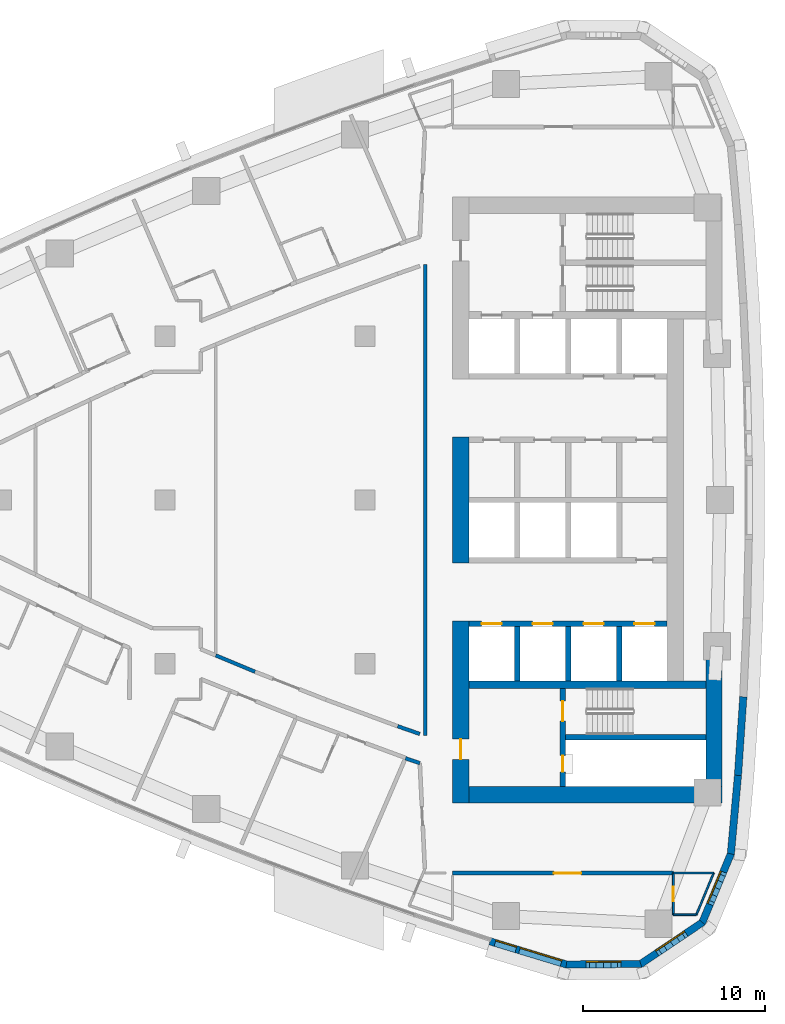
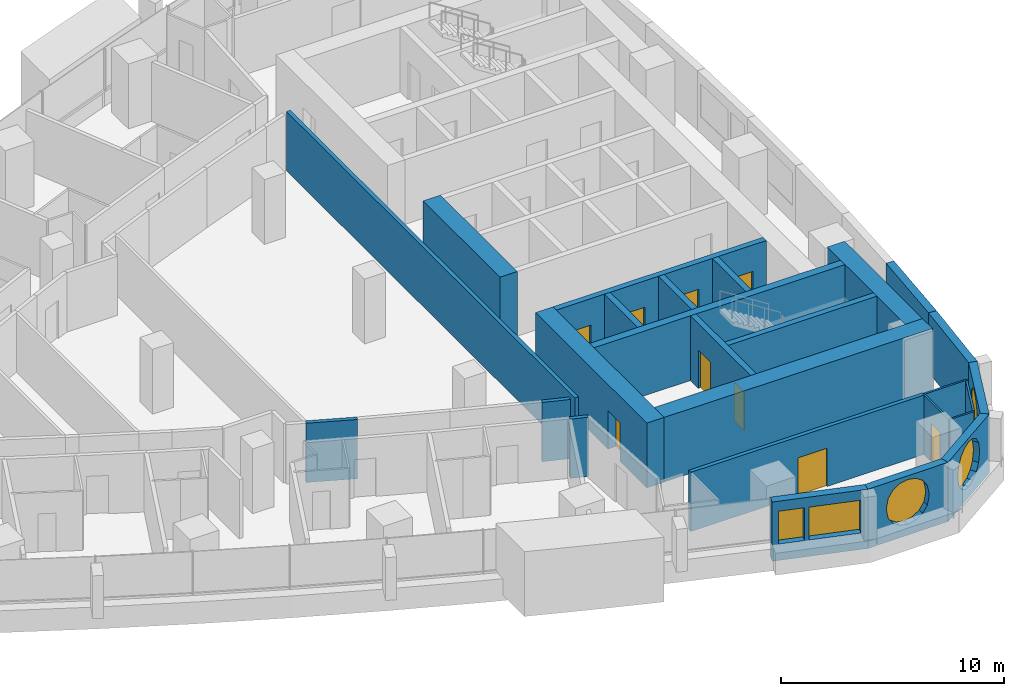
# One storey, part 10 of 17: 26 walls, 9 doors, 5 windows, 14 openings.
"""IFC4 building model written with IfcOpenShell, lengths in metres."""

import ifcopenshell
import ifcopenshell.guid

model = None  # the IFC model being written
_history = None  # IfcOwnerHistory: only IFC2X3 demands one
_inside = {}  # id of a spatial element -> (the spatial element, [elements in it])
_under = {}  # id of a project, library or spatial element -> (it, [spatial elements below it])
_declared = {}  # id of a project -> (the project, [libraries it declares])
_typed = {}  # id of a type object -> (the type object, [elements of that type])
_made_of = {}  # id of a material, layer set ... -> (it, [elements and type objects made of it])


def new_model(schema):
    """Start an empty IFC model of exactly this schema.

    Asked for "IFC4X3", IfcOpenShell would pick the latest addendum, in which some entities
    have other attributes; the version numbers below select the first issue.
    IFC2X3 requires an IfcOwnerHistory on every rooted entity: one is made here for all.
    """
    global model, _history
    if schema == "IFC4X3":
        model = ifcopenshell.file(schema_version=(4, 3, 0, 0))
    else:
        model = ifcopenshell.file(schema=schema)
    _inside.clear()
    _under.clear()
    _declared.clear()
    _typed.clear()
    _made_of.clear()
    _history = None
    if model.schema == "IFC2X3":
        org = make("IfcOrganization", Name="unknown")
        user = make(
            "IfcPersonAndOrganization",
            ThePerson=make("IfcPerson", FamilyName="unknown"),
            TheOrganization=org,
        )
        app = make(
            "IfcApplication",
            ApplicationDeveloper=org,
            Version="unknown",
            ApplicationFullName="unknown",
            ApplicationIdentifier="unknown",
        )
        _history = make(
            "IfcOwnerHistory",
            OwningUser=user,
            OwningApplication=app,
            ChangeAction="ADDED",
            CreationDate=0,
        )
    return model


def make(cls, **values):
    """One entity of the class cls with the attributes given. An attribute that is None is left unset."""
    return model.create_entity(
        cls, **{name: value for name, value in values.items() if value is not None}
    )


def rooted(cls, **values):
    """An entity with a GlobalId (a new one), such as an element, a storey or a relation."""
    return make(cls, GlobalId=ifcopenshell.guid.new(), OwnerHistory=_history, **values)


def si_unit(unit_type, name, prefix=None):
    """IfcSIUnit, for example si_unit("LENGTHUNIT", "METRE", prefix="MILLI")."""
    return make("IfcSIUnit", UnitType=unit_type, Prefix=prefix, Name=name)


def assignment(units):
    """IfcUnitAssignment: the units of a project."""
    return None if units is None else make("IfcUnitAssignment", Units=units)


def point(xyz):
    """IfcCartesianPoint."""
    return None if xyz is None else make("IfcCartesianPoint", Coordinates=xyz)


def direction(xyz):
    """IfcDirection."""
    return None if xyz is None else make("IfcDirection", DirectionRatios=xyz)


def frame(location, z_axis=None, x_axis=None):
    """IfcAxis2Placement3D, a coordinate frame: its origin and axes. An axis left out is left unset."""
    return make(
        "IfcAxis2Placement3D",
        Location=point(location),
        Axis=direction(z_axis),
        RefDirection=direction(x_axis),
    )


def frame_2d(location, x_axis=None):
    """IfcAxis2Placement2D, a coordinate frame in the plane: its origin and x axis."""
    return make(
        "IfcAxis2Placement2D", Location=point(location), RefDirection=direction(x_axis)
    )


def origin():
    """The frame at (0, 0, 0) with its axes left unset."""
    return frame((0.0, 0.0, 0.0))


def place(relative_to, where):
    """IfcLocalPlacement: puts the frame where relative to a parent placement (None: the world)."""
    return make(
        "IfcLocalPlacement", PlacementRelTo=relative_to, RelativePlacement=where
    )


def context(
    kind, dimensions, precision=None, world=None, true_north=None, identifier=None
):
    """IfcGeometricRepresentationContext, for example the 3D "Model" context."""
    return make(
        "IfcGeometricRepresentationContext",
        ContextIdentifier=identifier,
        ContextType=kind,
        CoordinateSpaceDimension=dimensions,
        Precision=precision,
        WorldCoordinateSystem=world,
        TrueNorth=true_north,
    )


def subcontext(parent, identifier, kind, view, scale=None):
    """IfcGeometricRepresentationSubContext, for example "Body" below "Model"."""
    return make(
        "IfcGeometricRepresentationSubContext",
        ContextIdentifier=identifier,
        ContextType=kind,
        ParentContext=parent,
        TargetScale=scale,
        TargetView=view,
    )


def project(units=None, contexts=None):
    """IfcProject with its units and contexts."""
    return rooted(
        "IfcProject",
        Name="project",
        RepresentationContexts=contexts,
        UnitsInContext=assignment(units),
    )


def spatial(cls, under=None, at=None, **own):
    """A site, building, storey or space (cls), placed at a placement, below another one or the project."""
    s = rooted(cls, ObjectPlacement=at, **own)
    if under is not None:
        _under.setdefault(under.id(), (under, []))[1].append(s)
    return s


def polyline(points):
    """IfcPolyline through the points."""
    return make("IfcPolyline", Points=[point(p) for p in points])


def profile(cls, at=None, kind="AREA", **sizes):
    """A parametric profile (cls). Its sizes go by their IFC names, for example OverallWidth=200.0."""
    return make(cls, ProfileType=kind, Position=at, **sizes)


def rectangle(**sizes):
    """IfcRectangleProfileDef."""
    return profile("IfcRectangleProfileDef", **sizes)


def outline(outer, holes=None, kind="AREA"):
    """IfcArbitraryClosedProfileDef: a profile drawn as a closed curve; with holes, ...WithVoids."""
    if holes is None:
        return make("IfcArbitraryClosedProfileDef", ProfileType=kind, OuterCurve=outer)
    return make(
        "IfcArbitraryProfileDefWithVoids",
        ProfileType=kind,
        OuterCurve=outer,
        InnerCurves=holes,
    )


def extrude(swept, where, along, depth):
    """IfcExtrudedAreaSolid: the profile swept, set in the frame where, extruded along a direction by depth."""
    return make(
        "IfcExtrudedAreaSolid",
        SweptArea=swept,
        Position=where,
        ExtrudedDirection=direction(along),
        Depth=depth,
    )


def shape(context_of_items, identifier, shape_type, items):
    """IfcShapeRepresentation: the items that make up one representation, for example the "Body"."""
    return make(
        "IfcShapeRepresentation",
        ContextOfItems=context_of_items,
        RepresentationIdentifier=identifier,
        RepresentationType=shape_type,
        Items=items,
    )


def material(Name=None, Category=None):
    """IfcMaterial."""
    return make("IfcMaterial", Name=Name, Category=Category)


def layer(
    of_material, thickness, ventilated=None, Name=None, Category=None, Priority=None
):
    """IfcMaterialLayer: one layer of a wall or slab, of a material (None: an air gap)."""
    return make(
        "IfcMaterialLayer",
        Material=of_material,
        LayerThickness=thickness,
        IsVentilated=ventilated,
        Name=Name,
        Category=Category,
        Priority=Priority,
    )


def layer_set(layers, Name=None):
    """IfcMaterialLayerSet."""
    return make("IfcMaterialLayerSet", MaterialLayers=layers, LayerSetName=Name)


def made_of(thing, what):
    """Note that an element or type object is made of a material, layer set ...; save() writes the relation."""
    if what is not None:
        _made_of.setdefault(what.id(), (what, []))[1].append(thing)
    return thing


def type_object(cls, material=None, **own):
    """A type object (cls), such as IfcWallType, which elements share."""
    return made_of(rooted(cls, **own), material)


def element(
    cls,
    number,
    at=None,
    inside=None,
    cuts=None,
    type_object=None,
    material=None,
    context=None,
    identifier="Body",
    shape_type=None,
    held_by="IfcProductDefinitionShape",
    body=None,
    shapes=None,
    **own,
):
    """One element of the class cls, such as IfcWall. Its Tag is "e" and its number.

    at: its placement. inside: the storey or other place that contains it. cuts: it is an
    opening in that element (IfcRelVoidsElement). A single representation is given by context,
    identifier, shape_type and body (its items); several are given by shapes. held_by: the class
    of the entity that holds the representations. save() writes the other relations.
    """
    e = rooted(cls, Tag="e%d" % number, ObjectPlacement=at, **own)
    if body is not None:
        shapes = [shape(context, identifier, shape_type, body)]
    if shapes is not None:
        e.Representation = make(held_by, Representations=shapes)
    if inside is not None:
        _inside.setdefault(inside.id(), (inside, []))[1].append(e)
    if cuts is not None:
        rooted(
            "IfcRelVoidsElement", RelatingBuildingElement=cuts, RelatedOpeningElement=e
        )
    if type_object is not None:
        _typed.setdefault(type_object.id(), (type_object, []))[1].append(e)
    return made_of(e, material)


def fill(opening, filler):
    """IfcRelFillsElement: the door or window that sits in an opening."""
    return rooted(
        "IfcRelFillsElement",
        RelatingOpeningElement=opening,
        RelatedBuildingElement=filler,
    )


def aggregate(whole, parts):
    """IfcRelAggregates: a whole, such as a stair, and the parts it consists of."""
    return rooted("IfcRelAggregates", RelatingObject=whole, RelatedObjects=parts)


def save(model, path):
    """Write the relations noted so far, then the file.

    IfcRelAggregates (storeys below a building ...), IfcRelContainedInSpatialStructure (elements
    in a storey), IfcRelDefinesByType, IfcRelAssociatesMaterial and IfcRelDeclares: one each for
    every whole, place, type object, material and project.
    """
    for whole, parts in _under.values():
        aggregate(whole, parts)
    for where, things in _inside.values():
        rooted(
            "IfcRelContainedInSpatialStructure",
            RelatedElements=things,
            RelatingStructure=where,
        )
    for kind, things in _typed.values():
        rooted("IfcRelDefinesByType", RelatedObjects=things, RelatingType=kind)
    for what, things in _made_of.values():
        rooted("IfcRelAssociatesMaterial", RelatedObjects=things, RelatingMaterial=what)
    for by, libraries in _declared.values():
        rooted("IfcRelDeclares", RelatingContext=by, RelatedDefinitions=libraries)
    model.write(path)


model = new_model("IFC4")

# Units and contexts
model_context = context("Model", 3, precision=1e-05, world=origin(), true_north=direction((0.0, 1.0)))
body_context = subcontext(model_context, "Body", "Model", "MODEL_VIEW")
ifc_project = project(units=[si_unit("LENGTHUNIT", "METRE"), si_unit("AREAUNIT", "SQUARE_METRE"), si_unit("VOLUMEUNIT", "CUBIC_METRE"), si_unit("PLANEANGLEUNIT", "RADIAN"), si_unit("MASSUNIT", "GRAM", prefix="KILO")], contexts=[model_context])

# Site, building, storey
site_placement = place(None, origin())
site = spatial("IfcSite", under=ifc_project, at=site_placement, CompositionType="ELEMENT")
building_placement = place(site_placement, origin())
building = spatial("IfcBuilding", under=site, at=building_placement, Name="Ostrand Prow Hotel Tower", CompositionType="ELEMENT")
storey_placement = place(building_placement, frame((0.0, 0.0, 151.5)))
storey = spatial("IfcBuildingStorey", under=building, at=storey_placement, Name="L37", CompositionType="ELEMENT", Elevation=151.5)

# Wall, openings, doors
ifc_material_1 = material(Name="Concrete C70/85", Category="concrete")
ifc_layer_1 = layer(ifc_material_1, 0.300048828125)
ifc_layer_set_1 = layer_set([ifc_layer_1], Name="Concrete C70/85")
wall_type_1 = type_object("IfcWallType", Name="Core wall 300 C70/85", PredefinedType="SHEAR", material=ifc_layer_set_1)
wall_1_placement = place(storey_placement, frame((50.699951171875, -6.800048828125, 0.0), z_axis=(0.0, 0.0, 1.0), x_axis=(1.0, 0.0, 0.0)))
wall_1 = element("IfcWall", 1, at=wall_1_placement, inside=storey, type_object=wall_type_1, Name="Core wall PW-L2-S", PredefinedType="SHEAR", context=body_context, shape_type="SweptSolid", body=[
    extrude(rectangle(XDim=10.900146484375, YDim=0.300048828125, at=frame_2d((5.4501953125, 0.0))), origin(), (0.0, 0.0, 1.0), 3.550048828125),
])
opening_1_placement = place(wall_1_placement, frame((0.699951171875, 0.0, 0.0)))
opening_1 = element("IfcOpeningElement", 2, at=opening_1_placement, cuts=wall_1, Name="Opening LD", PredefinedType="OPENING", context=body_context, shape_type="SweptSolid", body=[
    extrude(rectangle(XDim=1.10009765625, YDim=2.10009765625, at=frame_2d((0.550048828125, 1.050048828125))), frame((0.0, 0.159912109375, 0.0), z_axis=(0.0, -1.0, 0.0), x_axis=(1.0, 0.0, 0.0)), (0.0, 0.0, 1.0), 0.320068359375),
])
opening_2_placement = place(wall_1_placement, frame((3.5, 0.0, 0.0)))
opening_2 = element("IfcOpeningElement", 3, at=opening_2_placement, cuts=wall_1, Name="Opening LD", PredefinedType="OPENING", context=body_context, shape_type="SweptSolid", body=[
    extrude(rectangle(XDim=1.10009765625, YDim=2.10009765625, at=frame_2d((0.550048828125, 1.050048828125))), frame((0.0, 0.159912109375, 0.0), z_axis=(0.0, -1.0, 0.0), x_axis=(1.0, 0.0, 0.0)), (0.0, 0.0, 1.0), 0.320068359375),
])
opening_3_placement = place(wall_1_placement, frame((6.300048828125, 0.0, 0.0)))
opening_3 = element("IfcOpeningElement", 4, at=opening_3_placement, cuts=wall_1, Name="Opening LD", PredefinedType="OPENING", context=body_context, shape_type="SweptSolid", body=[
    extrude(rectangle(XDim=1.10009765625, YDim=2.10009765625, at=frame_2d((0.550048828125, 1.050048828125))), frame((0.0, 0.159912109375, 0.0), z_axis=(0.0, -1.0, 0.0), x_axis=(1.0, 0.0, 0.0)), (0.0, 0.0, 1.0), 0.320068359375),
])
opening_4_placement = place(wall_1_placement, frame((9.10009765625, 0.0, 0.0)))
opening_4 = element("IfcOpeningElement", 5, at=opening_4_placement, cuts=wall_1, Name="Opening LD", PredefinedType="OPENING", context=body_context, shape_type="SweptSolid", body=[
    extrude(rectangle(XDim=1.10009765625, YDim=2.10009765625, at=frame_2d((0.550048828125, 1.050048828125))), frame((0.0, 0.159912109375, 0.0), z_axis=(0.0, -1.0, 0.0), x_axis=(1.0, 0.0, 0.0)), (0.0, 0.0, 1.0), 0.320068359375),
])
ifc_material_2 = material(Name="Stainless steel door", Category="steel")
door_type_1 = type_object("IfcDoorType", Name="Lift landing door 1100", OperationType="DOUBLE_DOOR_SLIDING", PredefinedType="DOOR", material=ifc_material_2)
door_1_placement = place(opening_1_placement, origin())
door_1 = element("IfcDoor", 6, at=door_1_placement, inside=storey, type_object=door_type_1, Name="LIFT LANDING DOOR", OperationType="DOUBLE_DOOR_SLIDING", OverallHeight=2.10009765625, OverallWidth=1.10009765625, PredefinedType="DOOR", context=body_context, shape_type="SweptSolid", body=[
    extrude(rectangle(XDim=1.10009765625, YDim=2.10009765625, at=frame_2d((0.550048828125, 1.050048828125))), frame((0.0, 0.02490234375, 0.0), z_axis=(0.0, -1.0, 0.0), x_axis=(1.0, 0.0, 0.0)), (0.0, 0.0, 1.0), 0.050048828125),
])
fill(opening_1, door_1)
door_2_placement = place(opening_2_placement, origin())
door_2 = element("IfcDoor", 7, at=door_2_placement, inside=storey, type_object=door_type_1, Name="LIFT LANDING DOOR", OperationType="DOUBLE_DOOR_SLIDING", OverallHeight=2.10009765625, OverallWidth=1.10009765625, PredefinedType="DOOR", context=body_context, shape_type="SweptSolid", body=[
    extrude(rectangle(XDim=1.10009765625, YDim=2.10009765625, at=frame_2d((0.550048828125, 1.050048828125))), frame((0.0, 0.02490234375, 0.0), z_axis=(0.0, -1.0, 0.0), x_axis=(1.0, 0.0, 0.0)), (0.0, 0.0, 1.0), 0.050048828125),
])
fill(opening_2, door_2)
door_3_placement = place(opening_3_placement, origin())
door_3 = element("IfcDoor", 8, at=door_3_placement, inside=storey, type_object=door_type_1, Name="LIFT LANDING DOOR", OperationType="DOUBLE_DOOR_SLIDING", OverallHeight=2.10009765625, OverallWidth=1.10009765625, PredefinedType="DOOR", context=body_context, shape_type="SweptSolid", body=[
    extrude(rectangle(XDim=1.10009765625, YDim=2.10009765625, at=frame_2d((0.550048828125, 1.050048828125))), frame((0.0, 0.02490234375, 0.0), z_axis=(0.0, -1.0, 0.0), x_axis=(1.0, 0.0, 0.0)), (0.0, 0.0, 1.0), 0.050048828125),
])
fill(opening_3, door_3)
door_4_placement = place(opening_4_placement, origin())
door_4 = element("IfcDoor", 9, at=door_4_placement, inside=storey, type_object=door_type_1, Name="LIFT LANDING DOOR", OperationType="DOUBLE_DOOR_SLIDING", OverallHeight=2.10009765625, OverallWidth=1.10009765625, PredefinedType="DOOR", context=body_context, shape_type="SweptSolid", body=[
    extrude(rectangle(XDim=1.10009765625, YDim=2.10009765625, at=frame_2d((0.550048828125, 1.050048828125))), frame((0.0, 0.02490234375, 0.0), z_axis=(0.0, -1.0, 0.0), x_axis=(1.0, 0.0, 0.0)), (0.0, 0.0, 1.0), 0.050048828125),
])
fill(opening_4, door_4)

# Walls
for number, where, z_axis, x_axis, name in (
    (10, (53.35009765625, -9.949951171875, 0.0), (0.0, 0.0, 1.0), (0.0, 1.0, 0.0), "Core wall PW-R1-SA"),
    (11, (56.14990234375, -9.949951171875, 0.0), (0.0, 0.0, 1.0), (0.0, 1.0, 0.0), "Core wall PW-R2-SA"),
    (12, (58.949951171875, -9.949951171875, 0.0), (0.0, 0.0, 1.0), (0.0, 1.0, 0.0), "Core wall PW-R3-SA"),
):
    element("IfcWall", number, at=place(storey_placement, frame(where, z_axis=z_axis, x_axis=x_axis)), inside=storey, type_object=wall_type_1, Name=name, PredefinedType="SHEAR", context=body_context, shape_type="SweptSolid", body=[
        extrude(rectangle(XDim=3.0, YDim=0.300048828125, at=frame_2d((1.5, 0.0))), origin(), (0.0, 0.0, 1.0), 3.550048828125),
    ])

# Wall, openings, doors
wall_2_placement = place(storey_placement, frame((55.85009765625, -15.75, 0.0), z_axis=(0.0, 0.0, 1.0), x_axis=(0.0, 1.0, 0.0)))
wall_2 = element("IfcWall", 13, at=wall_2_placement, inside=storey, type_object=wall_type_1, Name="Core wall PW-VS", PredefinedType="SHEAR", context=body_context, shape_type="SweptSolid", body=[
    extrude(rectangle(XDim=5.39990234375, YDim=0.300048828125, at=frame_2d((2.699951171875, 0.0))), origin(), (0.0, 0.0, 1.0), 3.550048828125),
])
opening_5_placement = place(wall_2_placement, frame((3.60009765625, 0.0, 0.0)))
opening_5 = element("IfcOpeningElement", 14, at=opening_5_placement, cuts=wall_2, Name="Opening FD1", PredefinedType="OPENING", context=body_context, shape_type="SweptSolid", body=[
    extrude(rectangle(XDim=1.10009765625, YDim=2.10009765625, at=frame_2d((0.550048828125, 1.050048828125))), frame((0.0, 0.159912109375, 0.0), z_axis=(0.0, -1.0, 0.0), x_axis=(1.0, 0.0, 0.0)), (0.0, 0.0, 1.0), 0.320068359375),
])
opening_6_placement = place(wall_2_placement, frame((0.800048828125, 0.0, 0.0)))
opening_6 = element("IfcOpeningElement", 15, at=opening_6_placement, cuts=wall_2, Name="Opening FD2", PredefinedType="OPENING", context=body_context, shape_type="SweptSolid", body=[
    extrude(rectangle(XDim=0.89990234375, YDim=2.10009765625, at=frame_2d((0.449951171875, 1.050048828125))), frame((0.0, 0.159912109375, 0.0), z_axis=(0.0, -1.0, 0.0), x_axis=(1.0, 0.0, 0.0)), (0.0, 0.0, 1.0), 0.320068359375),
])
ifc_material_3 = material(Name="Steel fire door", Category="steel")
door_type_2 = type_object("IfcDoorType", Name="Fire door 1100 EI120", OperationType="SINGLE_SWING_RIGHT", PredefinedType="DOOR", material=ifc_material_3)
door_5_placement = place(opening_5_placement, origin())
door_5 = element("IfcDoor", 16, at=door_5_placement, inside=storey, type_object=door_type_2, Name="FIRE DOOR", OperationType="SINGLE_SWING_RIGHT", OverallHeight=2.10009765625, OverallWidth=1.10009765625, PredefinedType="DOOR", context=body_context, shape_type="SweptSolid", body=[
    extrude(rectangle(XDim=1.10009765625, YDim=2.10009765625, at=frame_2d((0.550048828125, 1.050048828125))), frame((0.0, 0.02490234375, 0.0), z_axis=(0.0, -1.0, 0.0), x_axis=(1.0, 0.0, 0.0)), (0.0, 0.0, 1.0), 0.050048828125),
])
fill(opening_5, door_5)
ifc_material_4 = material(Name="Steel fire door", Category="steel")
door_type_3 = type_object("IfcDoorType", Name="Fire door 900 EI120", OperationType="SINGLE_SWING_LEFT", PredefinedType="DOOR", material=ifc_material_4)
door_6_placement = place(opening_6_placement, origin())
door_6 = element("IfcDoor", 17, at=door_6_placement, inside=storey, type_object=door_type_3, Name="FIRE DOOR", OperationType="SINGLE_SWING_LEFT", OverallHeight=2.10009765625, OverallWidth=0.89990234375, PredefinedType="DOOR", context=body_context, shape_type="SweptSolid", body=[
    extrude(rectangle(XDim=0.89990234375, YDim=2.10009765625, at=frame_2d((0.449951171875, 1.050048828125))), frame((0.0, 0.02490234375, 0.0), z_axis=(0.0, -1.0, 0.0), x_axis=(1.0, 0.0, 0.0)), (0.0, 0.0, 1.0), 0.050048828125),
])
fill(opening_6, door_6)

# Walls
wall_3_placement = place(storey_placement, frame((56.0, -13.050048828125, 0.0), z_axis=(0.0, 0.0, 1.0), x_axis=(1.0, 0.0, 0.0)))
element("IfcWall", 18, at=wall_3_placement, inside=storey, type_object=wall_type_1, Name="Core wall PW-ST2R", PredefinedType="SHEAR", context=body_context, shape_type="SweptSolid", body=[
    extrude(rectangle(XDim=7.719970703125, YDim=0.300048828125, at=frame_2d((3.85986328125, 0.0))), origin(), (0.0, 0.0, 1.0), 3.550048828125),
])
ifc_material_5 = material(Name="Concrete C70/85", Category="concrete")
ifc_layer_2 = layer(ifc_material_5, 0.39990234375)
ifc_layer_set_2 = layer_set([ifc_layer_2], Name="Concrete C70/85")
wall_type_2 = type_object("IfcWallType", Name="Core wall 400 C70/85", PredefinedType="SHEAR", material=ifc_layer_set_2)
wall_4_placement = place(storey_placement, frame((50.699951171875, -10.14990234375, 0.0), z_axis=(0.0, 0.0, 1.0), x_axis=(1.0, 0.0, 0.0)))
element("IfcWall", 19, at=wall_4_placement, inside=storey, type_object=wall_type_2, Name="Core wall PW-BS", PredefinedType="SHEAR", context=body_context, shape_type="SweptSolid", body=[
    extrude(rectangle(XDim=13.02001953125, YDim=0.39990234375, at=frame_2d((6.510009765625, 0.0))), origin(), (0.0, 0.0, 1.0), 3.550048828125),
])
ifc_material_6 = material(Name="Concrete C70/85", Category="concrete")
ifc_layer_3 = layer(ifc_material_6, 0.89990234375)
ifc_layer_set_3 = layer_set([ifc_layer_3], Name="Concrete C70/85")
wall_type_3 = type_object("IfcWallType", Name="Core wall 900 C70/85", PredefinedType="SHEAR", material=ifc_layer_set_3)
wall_5_placement = place(storey_placement, frame((50.25, -3.449951171875, 0.0), z_axis=(0.0, 0.0, 1.0), x_axis=(0.0, 1.0, 0.0)))
element("IfcWall", 20, at=wall_5_placement, inside=storey, type_object=wall_type_3, Name="Core wall CW-W-C", PredefinedType="SHEAR", context=body_context, shape_type="SweptSolid", body=[
    extrude(rectangle(XDim=6.89990234375, YDim=0.89990234375, at=frame_2d((3.449951171875, 0.0))), origin(), (0.0, 0.0, 1.0), 3.550048828125),
])

# Wall, opening, door
wall_6_placement = place(storey_placement, frame((50.25, -16.64990234375, 0.0), z_axis=(0.0, 0.0, 1.0), x_axis=(0.0, 1.0, 0.0)))
wall_6 = element("IfcWall", 21, at=wall_6_placement, inside=storey, type_object=wall_type_3, Name="Core wall CW-W-S", PredefinedType="SHEAR", context=body_context, shape_type="SweptSolid", body=[
    extrude(rectangle(XDim=10.0, YDim=0.89990234375, at=frame_2d((5.0, 0.0))), origin(), (0.0, 0.0, 1.0), 3.550048828125),
])
opening_7_placement = place(wall_6_placement, frame((2.39990234375, 0.0, 0.0)))
opening_7 = element("IfcOpeningElement", 22, at=opening_7_placement, cuts=wall_6, Name="Opening FD1", PredefinedType="OPENING", context=body_context, shape_type="SweptSolid", body=[
    extrude(rectangle(XDim=1.10009765625, YDim=2.10009765625, at=frame_2d((0.550048828125, 1.050048828125))), frame((0.0, 0.4599609375, 0.0), z_axis=(0.0, -1.0, 0.0), x_axis=(1.0, 0.0, 0.0)), (0.0, 0.0, 1.0), 0.919921875),
])
door_7_placement = place(opening_7_placement, origin())
door_7 = element("IfcDoor", 23, at=door_7_placement, inside=storey, type_object=door_type_2, Name="FIRE DOOR", OperationType="SINGLE_SWING_RIGHT", OverallHeight=2.10009765625, OverallWidth=1.10009765625, PredefinedType="DOOR", context=body_context, shape_type="SweptSolid", body=[
    extrude(rectangle(XDim=1.10009765625, YDim=2.10009765625, at=frame_2d((0.550048828125, 1.050048828125))), frame((0.0, 0.02490234375, 0.0), z_axis=(0.0, -1.0, 0.0), x_axis=(1.0, 0.0, 0.0)), (0.0, 0.0, 1.0), 0.050048828125),
])
fill(opening_7, door_7)

# Walls
wall_7_placement = place(storey_placement, frame((50.699951171875, -16.199951171875, 0.0), z_axis=(0.0, 0.0, 1.0), x_axis=(1.0, 0.0, 0.0)))
element("IfcWall", 24, at=wall_7_placement, inside=storey, type_object=wall_type_3, Name="Core wall CW-S", PredefinedType="SHEAR", context=body_context, shape_type="SweptSolid", body=[
    extrude(rectangle(XDim=13.920166015625, YDim=0.89990234375, at=frame_2d((6.9599609375, 0.0))), origin(), (0.0, 0.0, 1.0), 3.550048828125),
])
wall_8_placement = place(storey_placement, frame((64.169921875, -15.75, 0.0), z_axis=(0.0, 0.0, 1.0), x_axis=(0.0, 1.0, 0.0)))
element("IfcWall", 25, at=wall_8_placement, inside=storey, type_object=wall_type_3, Name="Core wall CW-E-S", PredefinedType="SHEAR", context=body_context, shape_type="SweptSolid", body=[
    extrude(rectangle(XDim=7.00537109375, YDim=0.89990234375, at=frame_2d((3.502685546875, 0.0))), origin(), (0.0, 0.0, 1.0), 3.550048828125),
])

# Wall, opening, door
ifc_material_7 = material(Name="Plasterboard partition")
ifc_layer_4 = layer(ifc_material_7, 0.10009765625)
ifc_layer_set_4 = layer_set([ifc_layer_4], Name="Plasterboard partition")
wall_type_4 = type_object("IfcWallType", Name="Partition 100 bathroom wall", PredefinedType="PARTITIONING", material=ifc_layer_set_4)
wall_9_placement = place(storey_placement, frame((61.9375, -22.800048828125, 0.0), z_axis=(0.0, 0.0, 1.0), x_axis=(0.0, 1.0, 0.0)))
wall_9 = element("IfcWall", 26, at=wall_9_placement, inside=storey, type_object=wall_type_4, Name="BATHROOM WALL", PredefinedType="PARTITIONING", context=body_context, shape_type="SweptSolid", body=[
    extrude(rectangle(XDim=2.300048828125, YDim=0.10009765625, at=frame_2d((1.14990234375, 0.0))), origin(), (0.0, 0.0, 1.0), 3.25),
])
opening_8_placement = place(wall_9_placement, frame((0.75, 0.0, 0.0)))
opening_8 = element("IfcOpeningElement", 27, at=opening_8_placement, cuts=wall_9, Name="Opening D2", PredefinedType="OPENING", context=body_context, shape_type="SweptSolid", body=[
    extrude(rectangle(XDim=0.800048828125, YDim=2.10009765625, at=frame_2d((0.39990234375, 1.050048828125))), frame((0.0, 0.06005859375, 0.0), z_axis=(0.0, -1.0, 0.0), x_axis=(1.0, 0.0, 0.0)), (0.0, 0.0, 1.0), 0.1201171875),
])
ifc_material_8 = material(Name="Timber door leaf", Category="wood")
door_type_4 = type_object("IfcDoorType", Name="Bathroom door 800", OperationType="SINGLE_SWING_LEFT", PredefinedType="DOOR", material=ifc_material_8)
door_8_placement = place(opening_8_placement, origin())
door_8 = element("IfcDoor", 28, at=door_8_placement, inside=storey, type_object=door_type_4, Name="DOOR", OperationType="SINGLE_SWING_LEFT", OverallHeight=2.10009765625, OverallWidth=0.800048828125, PredefinedType="DOOR", context=body_context, shape_type="SweptSolid", body=[
    extrude(rectangle(XDim=0.800048828125, YDim=2.10009765625, at=frame_2d((0.39990234375, 1.050048828125))), frame((0.0, 0.02490234375, 0.0), z_axis=(0.0, -1.0, 0.0), x_axis=(1.0, 0.0, 0.0)), (0.0, 0.0, 1.0), 0.050048828125),
])
fill(opening_8, door_8)

# Walls
wall_10_placement = place(storey_placement, frame((63.1982421875, -22.800048828125, 0.0), z_axis=(0.0, 0.0, 1.0), x_axis=(-1.0, 0.0, 0.0)))
element("IfcWall", 29, at=wall_10_placement, inside=storey, type_object=wall_type_4, Name="BATHROOM WALL", PredefinedType="PARTITIONING", context=body_context, shape_type="SweptSolid", body=[
    extrude(rectangle(XDim=1.2607421875, YDim=0.10009765625, at=frame_2d((0.63037109375, 0.0))), origin(), (0.0, 0.0, 1.0), 3.25),
])
wall_11_placement = place(storey_placement, frame((61.9375, -20.5048828125, 0.0), z_axis=(0.0, 0.0, 1.0), x_axis=(1.0, 0.0, 0.0)))
element("IfcWall", 30, at=wall_11_placement, inside=storey, type_object=wall_type_4, Name="BATHROOM WALL", PredefinedType="PARTITIONING", context=body_context, shape_type="SweptSolid", body=[
    extrude(rectangle(XDim=2.21484375, YDim=0.10009765625, at=frame_2d((1.107421875, 0.0))), origin(), (0.0, 0.0, 1.0), 3.25),
])
wall_12_placement = place(storey_placement, frame((64.15234375, -20.5048828125, 0.0), z_axis=(0.0, 0.0, 1.0), x_axis=(-0.383855043906, -0.923393364319, 0.0)))
element("IfcWall", 31, at=wall_12_placement, inside=storey, type_object=wall_type_4, Name="BATHROOM WALL", PredefinedType="PARTITIONING", context=body_context, shape_type="SweptSolid", body=[
    extrude(rectangle(XDim=2.485595703125, YDim=0.10009765625, at=frame_2d((1.24267578125, 0.0))), origin(), (0.0, 0.0, 1.0), 3.25),
])
ifc_material_9 = material(Name="Plasterboard partition")
ifc_layer_5 = layer(ifc_material_9, 0.199951171875)
ifc_layer_set_5 = layer_set([ifc_layer_5], Name="Plasterboard partition")
wall_type_5 = type_object("IfcWallType", Name="Partition 200 corridor wall", PredefinedType="PARTITIONING", material=ifc_layer_set_5)
wall_13_placement = place(storey_placement, frame((38.943115234375, -9.44091796875, 0.0), z_axis=(0.0, 0.0, 1.0), x_axis=(-0.923008963065, 0.384778448073, 0.0)))
element("IfcWall", 32, at=wall_13_placement, inside=storey, type_object=wall_type_5, Name="CORRIDOR WALL", PredefinedType="PARTITIONING", context=body_context, shape_type="SweptSolid", body=[
    extrude(rectangle(XDim=2.3388671875, YDim=0.199951171875, at=frame_2d((1.16943359375, 0.0))), origin(), (0.0, 0.0, 1.0), 3.25),
])

# Wall, opening, door
wall_14_placement = place(storey_placement, frame((49.800048828125, -20.5048828125, 0.0), z_axis=(0.0, 0.0, 1.0), x_axis=(1.0, 0.0, 0.0)))
wall_14 = element("IfcWall", 33, at=wall_14_placement, inside=storey, type_object=wall_type_5, Name="CORRIDOR WALL", PredefinedType="PARTITIONING", context=body_context, shape_type="SweptSolid", body=[
    extrude(rectangle(XDim=12.132568359375, YDim=0.199951171875, at=frame_2d((6.06640625, 0.0))), origin(), (0.0, 0.0, 1.0), 3.25),
])
opening_9_placement = place(wall_14_placement, frame((5.56640625, 0.0, 0.0)))
opening_9 = element("IfcOpeningElement", 34, at=opening_9_placement, cuts=wall_14, Name="Opening D15", PredefinedType="OPENING", context=body_context, shape_type="SweptSolid", body=[
    extrude(rectangle(XDim=1.5, YDim=2.10009765625, at=frame_2d((0.75, 1.050048828125))), frame((0.0, 0.10986328125, 0.0), z_axis=(0.0, -1.0, 0.0), x_axis=(1.0, 0.0, 0.0)), (0.0, 0.0, 1.0), 0.219970703125),
])
ifc_material_10 = material(Name="Timber door leaf", Category="wood")
door_type_5 = type_object("IfcDoorType", Name="Double door 1500", OperationType="DOUBLE_DOOR_SINGLE_SWING", PredefinedType="DOOR", material=ifc_material_10)
door_9_placement = place(opening_9_placement, origin())
door_9 = element("IfcDoor", 35, at=door_9_placement, inside=storey, type_object=door_type_5, Name="DOOR", OperationType="DOUBLE_DOOR_SINGLE_SWING", OverallHeight=2.10009765625, OverallWidth=1.5, PredefinedType="DOOR", context=body_context, shape_type="SweptSolid", body=[
    extrude(rectangle(XDim=1.5, YDim=2.10009765625, at=frame_2d((0.75, 1.050048828125))), frame((0.0, 0.02490234375, 0.0), z_axis=(0.0, -1.0, 0.0), x_axis=(1.0, 0.0, 0.0)), (0.0, 0.0, 1.0), 0.050048828125),
])
fill(opening_9, door_9)

# Walls
wall_15_placement = place(storey_placement, frame((47.2119140625, -14.193115234375, 0.0), z_axis=(0.0, 0.0, 1.0), x_axis=(0.944567831704, -0.32831632812, 0.0)))
element("IfcWall", 36, at=wall_15_placement, inside=storey, type_object=wall_type_5, Name="CORRIDOR WALL", PredefinedType="PARTITIONING", context=body_context, shape_type="SweptSolid", body=[
    extrude(rectangle(XDim=0.834228515625, YDim=0.199951171875, at=frame_2d((0.4169921875, 0.0))), origin(), (0.0, 0.0, 1.0), 3.25),
])
wall_16_placement = place(storey_placement, frame((48.0, -12.85791015625, 0.0), z_axis=(0.0, 0.0, 1.0), x_axis=(-0.944517215109, 0.328461916152, 0.0)))
element("IfcWall", 37, at=wall_16_placement, inside=storey, type_object=wall_type_5, Name="CORRIDOR WALL", PredefinedType="PARTITIONING", context=body_context, shape_type="SweptSolid", body=[
    extrude(rectangle(XDim=1.290283203125, YDim=0.199951171875, at=frame_2d((0.64501953125, 0.0))), origin(), (0.0, 0.0, 1.0), 3.25),
])
wall_17_placement = place(storey_placement, frame((48.294921875, 12.955078125, 0.0), z_axis=(0.0, 0.0, 1.0), x_axis=(0.0, -1.0, 0.0)))
element("IfcWall", 38, at=wall_17_placement, inside=storey, type_object=wall_type_5, Name="CORRIDOR WALL", PredefinedType="PARTITIONING", context=body_context, shape_type="SweptSolid", body=[
    extrude(rectangle(XDim=25.91015625, YDim=0.199951171875, at=frame_2d((12.955078125, 0.0))), origin(), (0.0, 0.0, 1.0), 3.25),
])

# Wall, openings, windows
ifc_material_11 = material(Name="Precast concrete C40/50", Category="concrete")
ifc_layer_6 = layer(ifc_material_11, 0.39990234375)
ifc_layer_set_6 = layer_set([ifc_layer_6], Name="Precast concrete C40/50")
wall_type_6 = type_object("IfcWallType", Name="Stone-faced precast wall 400 mm", PredefinedType="NOTDEFINED", material=ifc_layer_set_6)
wall_18_placement = place(storey_placement, frame((51.85888671875, -24.257080078125, 0.0), z_axis=(0.0, 0.0, 1.0), x_axis=(0.956964488344, -0.290205044837, 0.0)))
wall_18 = element("IfcWall", 39, at=wall_18_placement, inside=storey, type_object=wall_type_6, Name="Stone-faced wall back 1", PredefinedType="NOTDEFINED", context=body_context, shape_type="SweptSolid", body=[
    extrude(outline(polyline([(0.0, -0.199951171875), (4.41845703125, -0.199951171875), (4.357421875, 0.199951171875), (0.0, 0.199951171875), (0.0, -0.199951171875)])), origin(), (0.0, 0.0, 1.0), 3.25),
])
opening_10_placement = place(wall_18_placement, frame((0.2939453125, 0.0, 0.89990234375)))
opening_10 = element("IfcOpeningElement", 40, at=opening_10_placement, cuts=wall_18, Name="Opening WS4", PredefinedType="OPENING", context=body_context, shape_type="SweptSolid", body=[
    extrude(rectangle(XDim=1.199951171875, YDim=1.800048828125, at=frame_2d((0.60009765625, 0.89990234375))), frame((0.0, 0.2099609375, 0.0), z_axis=(0.0, -1.0, 0.0), x_axis=(1.0, 0.0, 0.0)), (0.0, 0.0, 1.0), 0.419921875),
])
opening_11_placement = place(wall_18_placement, frame((1.694091796875, 0.0, 0.89990234375)))
opening_11 = element("IfcOpeningElement", 41, at=opening_11_placement, cuts=wall_18, Name="Opening WS5-24", PredefinedType="OPENING", context=body_context, shape_type="SweptSolid", body=[
    extrude(rectangle(XDim=2.39990234375, YDim=1.800048828125, at=frame_2d((1.199951171875, 0.89990234375))), frame((0.0, 0.2099609375, 0.0), z_axis=(0.0, -1.0, 0.0), x_axis=(1.0, 0.0, 0.0)), (0.0, 0.0, 1.0), 0.419921875),
])
ifc_material_12 = material(Name="Insulated glass in bronze frame", Category="glass")
window_type_1 = type_object("IfcWindowType", Name="Fixed strip window 2400x1800", PartitioningType="SINGLE_PANEL", PredefinedType="WINDOW", material=ifc_material_12)
window_1_placement = place(opening_11_placement, origin())
window_1 = element("IfcWindow", 42, at=window_1_placement, inside=storey, type_object=window_type_1, Name="Window back 1.2", OverallHeight=1.800048828125, OverallWidth=2.39990234375, PartitioningType="SINGLE_PANEL", PredefinedType="WINDOW", context=body_context, shape_type="SweptSolid", body=[
    extrude(rectangle(XDim=2.39990234375, YDim=1.800048828125, at=frame_2d((1.199951171875, 0.89990234375))), frame((0.0, 0.169921875, 0.0), z_axis=(0.0, -1.0, 0.0), x_axis=(1.0, 0.0, 0.0)), (0.0, 0.0, 1.0), 0.06005859375),
])
fill(opening_11, window_1)
ifc_material_13 = material(Name="Insulated glass in bronze frame", Category="glass")
window_type_2 = type_object("IfcWindowType", Name="Operable strip panel 1200x1800", PartitioningType="SINGLE_PANEL", PredefinedType="WINDOW", material=ifc_material_13)
window_2_placement = place(opening_10_placement, origin())
window_2 = element("IfcWindow", 43, at=window_2_placement, inside=storey, type_object=window_type_2, Name="Window back 1.1", OverallHeight=1.800048828125, OverallWidth=1.199951171875, PartitioningType="SINGLE_PANEL", PredefinedType="WINDOW", context=body_context, shape_type="SweptSolid", body=[
    extrude(rectangle(XDim=1.199951171875, YDim=1.800048828125, at=frame_2d((0.60009765625, 0.89990234375))), frame((0.0, 0.169921875, 0.0), z_axis=(0.0, -1.0, 0.0), x_axis=(1.0, 0.0, 0.0)), (0.0, 0.0, 1.0), 0.06005859375),
])
fill(opening_10, window_2)

# Wall, opening, window
wall_19_placement = place(storey_placement, frame((56.05810546875, -25.530517578125, 0.0), z_axis=(0.0, 0.0, 1.0), x_axis=(0.99996933771, 0.007830941131, 0.0)))
wall_19 = element("IfcWall", 44, at=wall_19_placement, inside=storey, type_object=wall_type_6, Name="Stone-faced wall back 2", PredefinedType="NOTDEFINED", context=body_context, shape_type="SweptSolid", body=[
    extrude(outline(polyline([(-0.030517578125, -0.199951171875), (4.14453125, -0.199951171875), (4.02392578125, 0.199951171875), (0.030517578125, 0.199951171875), (-0.030517578125, -0.199951171875)])), origin(), (0.0, 0.0, 1.0), 3.25),
])
opening_12_placement = place(wall_19_placement, frame((0.94189453125, 0.0, 0.60009765625)))
opening_12 = element("IfcOpeningElement", 45, at=opening_12_placement, cuts=wall_19, Name="Opening WP1", PredefinedType="OPENING", context=body_context, shape_type="SweptSolid", body=[
    extrude(outline(polyline([(0.0, 1.35009765625), (0.083740234375, 1.77099609375), (0.322265625, 2.127685546875), (0.678955078125, 2.3662109375), (1.10009765625, 2.449951171875), (1.52099609375, 2.3662109375), (1.877685546875, 2.127685546875), (2.1162109375, 1.77099609375), (2.199951171875, 1.35009765625), (2.199951171875, 1.10009765625), (2.1162109375, 0.678955078125), (1.877685546875, 0.322265625), (1.52099609375, 0.083740234375), (1.10009765625, 0.0), (0.678955078125, 0.083740234375), (0.322265625, 0.322265625), (0.083740234375, 0.678955078125), (0.0, 1.099853515625), (0.0, 1.35009765625)])), frame((0.0, 0.2099609375, 0.0), z_axis=(0.0, -1.0, 0.0), x_axis=(1.0, 0.0, 0.0)), (0.0, 0.0, 1.0), 0.419921875),
])
ifc_material_14 = material(Name="Insulated glass in bronze frame", Category="glass")
window_type_3 = type_object("IfcWindowType", Name="Round-ended prow window 2200x2450", PartitioningType="SINGLE_PANEL", PredefinedType="WINDOW", material=ifc_material_14)
window_3_placement = place(opening_12_placement, origin())
window_3 = element("IfcWindow", 46, at=window_3_placement, inside=storey, type_object=window_type_3, Name="Window back 2.1", OverallHeight=2.449951171875, OverallWidth=2.199951171875, PartitioningType="SINGLE_PANEL", PredefinedType="WINDOW", context=body_context, shape_type="SweptSolid", body=[
    extrude(outline(polyline([(0.0, 1.35009765625), (0.083740234375, 1.77099609375), (0.322265625, 2.127685546875), (0.678955078125, 2.3662109375), (1.10009765625, 2.449951171875), (1.52099609375, 2.3662109375), (1.877685546875, 2.127685546875), (2.1162109375, 1.77099609375), (2.199951171875, 1.35009765625), (2.199951171875, 1.10009765625), (2.1162109375, 0.678955078125), (1.877685546875, 0.322265625), (1.52099609375, 0.083740234375), (1.10009765625, 0.0), (0.678955078125, 0.083740234375), (0.322265625, 0.322265625), (0.083740234375, 0.678955078125), (0.0, 1.099853515625), (0.0, 1.35009765625)])), frame((0.0, 0.169921875, 0.0), z_axis=(0.0, -1.0, 0.0), x_axis=(1.0, 0.0, 0.0)), (0.0, 0.0, 1.0), 0.06005859375),
])
fill(opening_12, window_3)

wall_20_placement = place(storey_placement, frame((60.14208984375, -25.49853515625, 0.0), z_axis=(0.0, 0.0, 1.0), x_axis=(0.829642062482, 0.558295663749, 0.0)))
wall_20 = element("IfcWall", 47, at=wall_20_placement, inside=storey, type_object=wall_type_6, Name="Stone-faced wall back 3", PredefinedType="NOTDEFINED", context=body_context, shape_type="SweptSolid", body=[
    extrude(outline(polyline([(-0.060302734375, -0.199951171875), (4.144287109375, -0.199951171875), (4.023681640625, 0.199951171875), (0.060302734375, 0.199951171875), (-0.060302734375, -0.199951171875)])), origin(), (0.0, 0.0, 1.0), 3.25),
])
opening_13_placement = place(wall_20_placement, frame((0.94189453125, 0.0, 0.60009765625)))
opening_13 = element("IfcOpeningElement", 48, at=opening_13_placement, cuts=wall_20, Name="Opening WP1", PredefinedType="OPENING", context=body_context, shape_type="SweptSolid", body=[
    extrude(outline(polyline([(0.0, 1.35009765625), (0.083740234375, 1.77099609375), (0.322265625, 2.127685546875), (0.678955078125, 2.3662109375), (1.10009765625, 2.449951171875), (1.52099609375, 2.3662109375), (1.877685546875, 2.127685546875), (2.1162109375, 1.77099609375), (2.199951171875, 1.35009765625), (2.199951171875, 1.10009765625), (2.1162109375, 0.678955078125), (1.877685546875, 0.322265625), (1.52099609375, 0.083740234375), (1.10009765625, 0.0), (0.678955078125, 0.083740234375), (0.322265625, 0.322265625), (0.083740234375, 0.678955078125), (0.0, 1.099853515625), (0.0, 1.35009765625)])), frame((0.0, 0.2099609375, 0.0), z_axis=(0.0, -1.0, 0.0), x_axis=(1.0, 0.0, 0.0)), (0.0, 0.0, 1.0), 0.419921875),
])
window_4_placement = place(opening_13_placement, origin())
window_4 = element("IfcWindow", 49, at=window_4_placement, inside=storey, type_object=window_type_3, Name="Window back 3.1", OverallHeight=2.449951171875, OverallWidth=2.199951171875, PartitioningType="SINGLE_PANEL", PredefinedType="WINDOW", context=body_context, shape_type="SweptSolid", body=[
    extrude(outline(polyline([(0.0, 1.35009765625), (0.083740234375, 1.77099609375), (0.322265625, 2.127685546875), (0.678955078125, 2.3662109375), (1.10009765625, 2.449951171875), (1.52099609375, 2.3662109375), (1.877685546875, 2.127685546875), (2.1162109375, 1.77099609375), (2.199951171875, 1.35009765625), (2.199951171875, 1.10009765625), (2.1162109375, 0.678955078125), (1.877685546875, 0.322265625), (1.52099609375, 0.083740234375), (1.10009765625, 0.0), (0.678955078125, 0.083740234375), (0.322265625, 0.322265625), (0.083740234375, 0.678955078125), (0.0, 1.099853515625), (0.0, 1.35009765625)])), frame((0.0, 0.169921875, 0.0), z_axis=(0.0, -1.0, 0.0), x_axis=(1.0, 0.0, 0.0)), (0.0, 0.0, 1.0), 0.06005859375),
])
fill(opening_13, window_4)

wall_21_placement = place(storey_placement, frame((63.5302734375, -23.218505859375, 0.0), z_axis=(0.0, 0.0, 1.0), x_axis=(0.383817293519, 0.923409056267, 0.0)))
wall_21 = element("IfcWall", 50, at=wall_21_placement, inside=storey, type_object=wall_type_6, Name="Stone-faced wall back 4", PredefinedType="NOTDEFINED", context=body_context, shape_type="SweptSolid", body=[
    extrude(outline(polyline([(-0.060302734375, -0.199951171875), (4.11474609375, -0.199951171875), (4.0537109375, 0.199951171875), (0.060302734375, 0.199951171875), (-0.060302734375, -0.199951171875)])), origin(), (0.0, 0.0, 1.0), 3.25),
])
opening_14_placement = place(wall_21_placement, frame((0.94189453125, 0.0, 0.60009765625)))
opening_14 = element("IfcOpeningElement", 51, at=opening_14_placement, cuts=wall_21, Name="Opening WP1", PredefinedType="OPENING", context=body_context, shape_type="SweptSolid", body=[
    extrude(outline(polyline([(0.0, 1.35009765625), (0.083740234375, 1.77099609375), (0.322265625, 2.127685546875), (0.678955078125, 2.3662109375), (1.10009765625, 2.449951171875), (1.52099609375, 2.3662109375), (1.877685546875, 2.127685546875), (2.1162109375, 1.77099609375), (2.199951171875, 1.35009765625), (2.199951171875, 1.10009765625), (2.1162109375, 0.678955078125), (1.877685546875, 0.322265625), (1.52099609375, 0.083740234375), (1.10009765625, 0.0), (0.678955078125, 0.083740234375), (0.322265625, 0.322265625), (0.083740234375, 0.678955078125), (0.0, 1.099853515625), (0.0, 1.35009765625)])), frame((0.0, 0.2099609375, 0.0), z_axis=(0.0, -1.0, 0.0), x_axis=(1.0, 0.0, 0.0)), (0.0, 0.0, 1.0), 0.419921875),
])
window_5_placement = place(opening_14_placement, origin())
window_5 = element("IfcWindow", 52, at=window_5_placement, inside=storey, type_object=window_type_3, Name="Window back 4.1", OverallHeight=2.449951171875, OverallWidth=2.199951171875, PartitioningType="SINGLE_PANEL", PredefinedType="WINDOW", context=body_context, shape_type="SweptSolid", body=[
    extrude(outline(polyline([(0.0, 1.35009765625), (0.083740234375, 1.77099609375), (0.322265625, 2.127685546875), (0.678955078125, 2.3662109375), (1.10009765625, 2.449951171875), (1.52099609375, 2.3662109375), (1.877685546875, 2.127685546875), (2.1162109375, 1.77099609375), (2.199951171875, 1.35009765625), (2.199951171875, 1.10009765625), (2.1162109375, 0.678955078125), (1.877685546875, 0.322265625), (1.52099609375, 0.083740234375), (1.10009765625, 0.0), (0.678955078125, 0.083740234375), (0.322265625, 0.322265625), (0.083740234375, 0.678955078125), (0.0, 1.099853515625), (0.0, 1.35009765625)])), frame((0.0, 0.169921875, 0.0), z_axis=(0.0, -1.0, 0.0), x_axis=(1.0, 0.0, 0.0)), (0.0, 0.0, 1.0), 0.06005859375),
])
fill(opening_14, window_5)

# Walls
wall_22_placement = place(storey_placement, frame((65.097900390625, -19.447021484375, 0.0), z_axis=(0.0, 0.0, 1.0), x_axis=(0.090296735989, 0.995914905737, 0.0)))
element("IfcWall", 53, at=wall_22_placement, inside=storey, type_object=wall_type_6, Name="Stone-faced wall back 5", PredefinedType="NOTDEFINED", context=body_context, shape_type="SweptSolid", body=[
    extrude(outline(polyline([(-0.030517578125, -0.199951171875), (4.330810546875, -0.199951171875), (4.326416015625, 0.199951171875), (0.030517578125, 0.199951171875), (-0.030517578125, -0.199951171875)])), origin(), (0.0, 0.0, 1.0), 3.25),
])
wall_23_placement = place(storey_placement, frame((65.48876953125, -15.135986328125, 0.0), z_axis=(0.0, 0.0, 1.0), x_axis=(0.067731727279, 0.997703569764, 0.0)))
element("IfcWall", 54, at=wall_23_placement, inside=storey, type_object=wall_type_6, Name="Stone-faced wall back 6", PredefinedType="NOTDEFINED", context=body_context, shape_type="SweptSolid", body=[
    extrude(outline(polyline([(-0.002197265625, -0.199951171875), (4.331298828125, -0.199951171875), (4.326904296875, 0.199951171875), (0.002197265625, 0.199951171875), (-0.002197265625, -0.199951171875)])), origin(), (0.0, 0.0, 1.0), 3.25),
])

save(model, "model.ifc")
